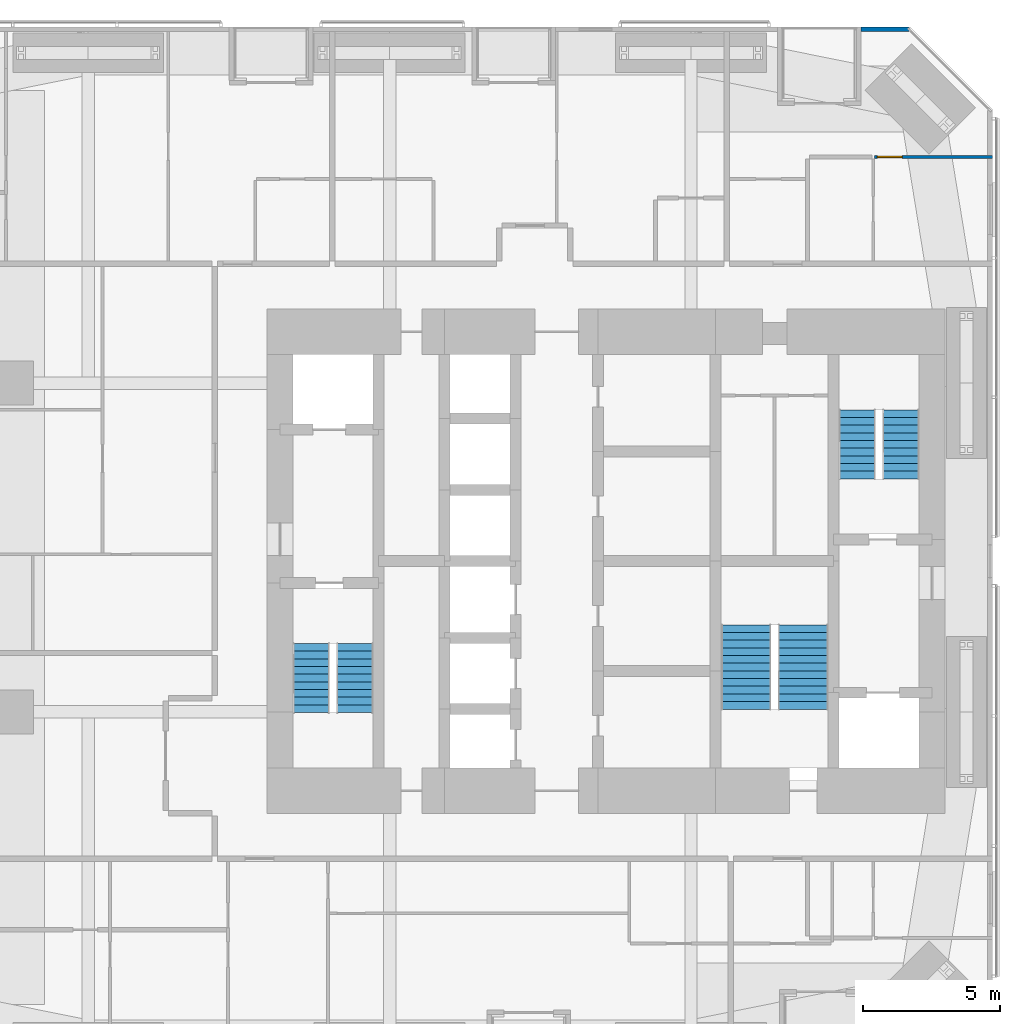
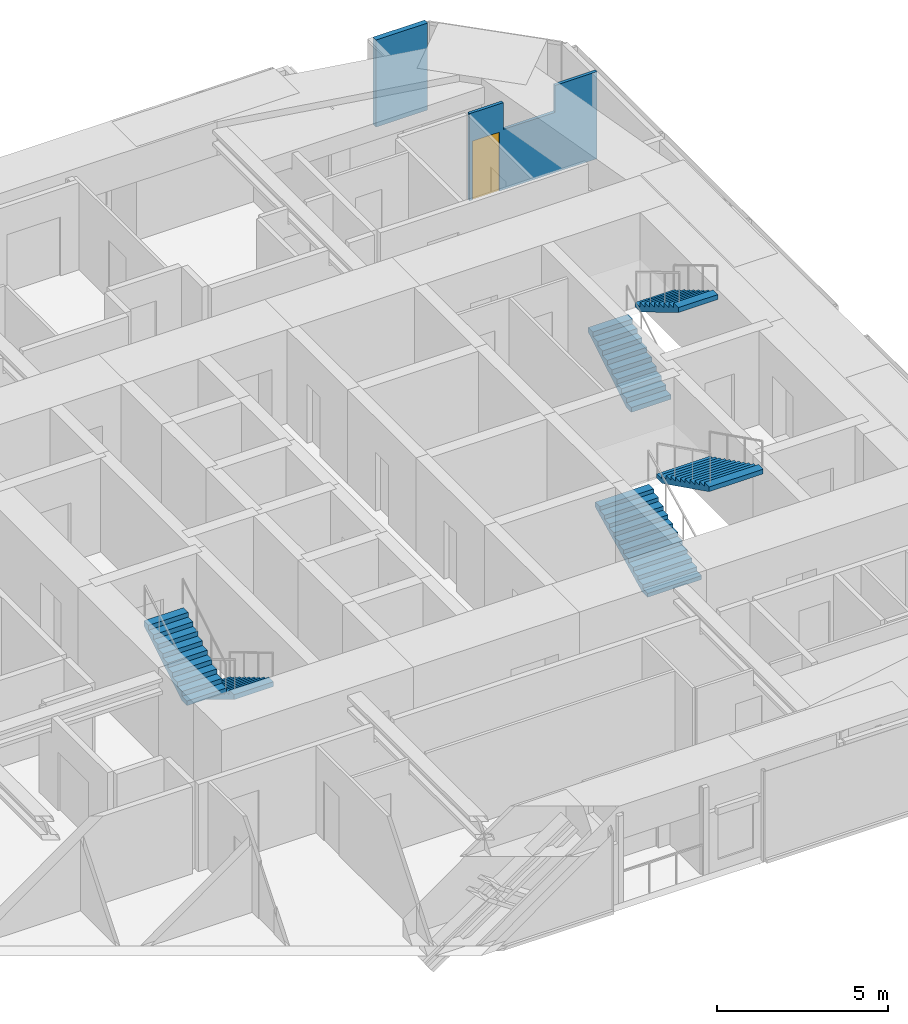
# One storey, part 23 of 24: 6 stair flights, 2 walls, 1 door, 1 opening, 3 elements without a shape of their own.
"""IFC4 building model written with IfcOpenShell, lengths in metres."""

from ifc_helpers import new_model, si_unit, direction, frame, frame_2d, origin, place, context, subcontext, project, spatial, polyline, rectangle, outline, extrude, material, constituent, constituent_set, type_object, element, fill, aggregate, save


model = new_model("IFC4")

# Units and contexts
model_context = context("Model", 3, precision=1e-05, world=origin(), true_north=direction((0.0, 1.0)))
body_context = subcontext(model_context, "Body", "Model", "MODEL_VIEW")
ifc_project = project(units=[si_unit("LENGTHUNIT", "METRE"), si_unit("AREAUNIT", "SQUARE_METRE"), si_unit("VOLUMEUNIT", "CUBIC_METRE"), si_unit("PLANEANGLEUNIT", "RADIAN"), si_unit("MASSUNIT", "GRAM", prefix="KILO")], contexts=[model_context])

# Site, building, storey
site_placement = place(None, origin())
site = spatial("IfcSite", under=ifc_project, at=site_placement, CompositionType="ELEMENT")
building_placement = place(site_placement, origin())
building = spatial("IfcBuilding", under=site, at=building_placement, Name="Jalousie Tower", CompositionType="ELEMENT")
storey_placement = place(building_placement, frame((0.0, 0.0, 51.14990234375)))
storey = spatial("IfcBuildingStorey", under=building, at=storey_placement, Name="L13", CompositionType="ELEMENT", Elevation=51.14990234375)

# Wall
ifc_material_1 = material(Name="Concrete f'c 40 MPa", Category="concrete")
ifc_constituent_1 = constituent(ifc_material_1, Name="Body")
ifc_material_2 = material(Name="Render, pastel coral")
ifc_constituent_2 = constituent(ifc_material_2, Name="Finish")
ifc_constituent_set_1 = constituent_set(constituents=[ifc_constituent_1, ifc_constituent_2])
wall_type_1 = type_object("IfcWallType", Name="EXTERNAL WALL 175 CORAL RENDER", PredefinedType="SOLIDWALL", material=ifc_constituent_set_1)
wall_1_placement = place(storey_placement, frame((42.94873046875, 37.91259765625, 0.0), z_axis=(0.0, 0.0, 1.0), x_axis=(-1.0, 0.0, 0.0)))
element("IfcWall", 1, at=wall_1_placement, inside=storey, type_object=wall_type_1, Name="External Wall 175 Coral Render L13", PredefinedType="SOLIDWALL", context=body_context, shape_type="SweptSolid", body=[
    extrude(rectangle(XDim=1.75, YDim=0.175048828125, at=frame_2d((0.875, 0.0))), origin(), (0.0, 0.0, 1.0), 3.110107421875),
])

# Wall, opening, door
ifc_material_3 = material(Name="Gypsum board", Category="gypsum")
ifc_constituent_3 = constituent(ifc_material_3, Name="Body")
ifc_material_4 = material(Name="Light-gauge steel studs ASTM A653 SS Grade 33", Category="steel")
ifc_constituent_4 = constituent(ifc_material_4, Name="Framing")
ifc_constituent_set_2 = constituent_set(constituents=[ifc_constituent_3, ifc_constituent_4])
wall_type_2 = type_object("IfcWallType", Name="PARTITION 100", PredefinedType="PARTITIONING", material=ifc_constituent_set_2)
wall_2_placement = place(storey_placement, frame((41.699951171875, 33.25341796875, 0.0), z_axis=(0.0, 0.0, 1.0), x_axis=(1.0, 0.0, 0.0)))
wall_2 = element("IfcWall", 2, at=wall_2_placement, inside=storey, type_object=wall_type_2, Name="Partition 100 L13", PredefinedType="PARTITIONING", context=body_context, shape_type="SweptSolid", body=[
    extrude(outline(polyline([(0.0, 0.0), (4.300048828125, 0.0), (4.300048828125, 3.110107421875), (2.8828125, 3.110107421875), (2.8828125, 2.150146484375), (1.140380859375, 2.150146484375), (1.140380859375, 3.110107421875), (0.0, 3.110107421875), (0.0, 0.0)])), frame((0.0, 0.050048828125, 0.0), z_axis=(0.0, -1.0, 0.0), x_axis=(1.0, 0.0, 0.0)), (0.0, 0.0, 1.0), 0.10009765625),
])
opening_placement = place(wall_2_placement, frame((0.10009765625, 0.0, 0.0)))
opening = element("IfcOpeningElement", 3, at=opening_placement, cuts=wall_2, Name="Opening D2", PredefinedType="OPENING", context=body_context, shape_type="SweptSolid", body=[
    extrude(rectangle(XDim=0.89990234375, YDim=2.10009765625, at=frame_2d((0.449951171875, 1.050048828125))), frame((0.0, 0.06005859375, 0.0), z_axis=(0.0, -1.0, 0.0), x_axis=(1.0, 0.0, 0.0)), (0.0, 0.0, 1.0), 0.1201171875),
])
ifc_material_5 = material(Name="Timber door", Category="wood")
door_type = type_object("IfcDoorType", Name="BEDROOM DOOR 900", OperationType="SINGLE_SWING_LEFT", PredefinedType="DOOR", material=ifc_material_5)
door_placement = place(opening_placement, frame((0.89990234375, 0.0, 0.0), z_axis=(0.0, 0.0, 1.0), x_axis=(-1.0, 0.0, 0.0)))
door = element("IfcDoor", 4, at=door_placement, inside=storey, type_object=door_type, Name="Apartment 1305 bedroom 1 door", OperationType="SINGLE_SWING_RIGHT", OverallHeight=2.10009765625, OverallWidth=0.89990234375, PredefinedType="DOOR", context=body_context, shape_type="SweptSolid", body=[
    extrude(rectangle(XDim=0.89990234375, YDim=2.10009765625, at=frame_2d((0.449951171875, 1.050048828125))), frame((0.0, 0.02490234375, 0.0), z_axis=(0.0, -1.0, 0.0), x_axis=(1.0, 0.0, 0.0)), (0.0, 0.0, 1.0), 0.050048828125),
])
fill(opening, door)

# Stair, stair flights
ifc_material_6 = material(Name="Concrete f'c 40 MPa", Category="concrete")
stair_type = type_object("IfcStairType", Name="EXIT STAIR", PredefinedType="HALF_TURN_STAIR", material=ifc_material_6)
stair_1_placement = place(storey_placement, origin())
stair_1 = element("IfcStair", 5, at=stair_1_placement, inside=storey, type_object=stair_type, Name="Exit stair A L13", PredefinedType="HALF_TURN_STAIR")
ifc_material_7 = material(Name="Concrete f'c 40 MPa", Category="concrete")
stair_flight_type = type_object("IfcStairFlightType", Name="STAIR FLIGHT", PredefinedType="STRAIGHT", material=ifc_material_7)
stair_flight_1_placement = place(storey_placement, frame((22.731201171875, 15.49755859375, 0.0), z_axis=(0.0, 0.0, 1.0), x_axis=(0.0, -1.0, 0.0)))
stair_flight_1 = element("IfcStairFlight", 6, at=stair_flight_1_placement, type_object=stair_flight_type, Name="ST-A flight 1", NumberOfRisers=10, NumberOfTreads=9, PredefinedType="STRAIGHT", RiserHeight=0.1675, TreadLength=0.28, context=body_context, shape_type="SweptSolid", body=[
    extrude(outline(polyline([(0.0, 0.0), (0.0, 0.16748046875), (0.280029296875, 0.16748046875), (0.280029296875, 0.3349609375), (0.56005859375, 0.3349609375), (0.56005859375, 0.50244140625), (0.840087890625, 0.50244140625), (0.840087890625, 0.669921875), (1.1201171875, 0.669921875), (1.1201171875, 0.83740234375), (1.39990234375, 0.83740234375), (1.39990234375, 1.0048828125), (1.679931640625, 1.0048828125), (1.679931640625, 1.172607421875), (1.9599609375, 1.172607421875), (1.9599609375, 1.340087890625), (2.239990234375, 1.340087890625), (2.239990234375, 1.507568359375), (2.52001953125, 1.507568359375), (2.52001953125, 1.675048828125), (2.52001953125, 1.332763671875), (0.2919921875, 0.0), (0.0, 0.0)])), frame((0.0, 0.668701171875, 0.0), z_axis=(0.0, -1.0, 0.0), x_axis=(1.0, 0.0, 0.0)), (0.0, 0.0, 1.0), 1.33740234375),
])
stair_flight_2_placement = place(storey_placement, frame((21.143798828125, 12.9775390625, 1.675048828125), z_axis=(0.0, 0.0, 1.0), x_axis=(0.0, 1.0, 0.0)))
stair_flight_2 = element("IfcStairFlight", 7, at=stair_flight_2_placement, type_object=stair_flight_type, Name="ST-A flight 2", NumberOfRisers=10, NumberOfTreads=9, PredefinedType="STRAIGHT", RiserHeight=0.1675, TreadLength=0.28, context=body_context, shape_type="SweptSolid", body=[
    extrude(outline(polyline([(0.0, 0.0), (0.0, 0.16748046875), (0.280029296875, 0.16748046875), (0.280029296875, 0.3349609375), (0.56005859375, 0.3349609375), (0.56005859375, 0.50244140625), (0.840087890625, 0.50244140625), (0.840087890625, 0.669921875), (1.1201171875, 0.669921875), (1.1201171875, 0.83740234375), (1.39990234375, 0.83740234375), (1.39990234375, 1.0048828125), (1.679931640625, 1.0048828125), (1.679931640625, 1.172607421875), (1.9599609375, 1.172607421875), (1.9599609375, 1.340087890625), (2.239990234375, 1.340087890625), (2.239990234375, 1.507568359375), (2.52001953125, 1.507568359375), (2.52001953125, 1.675048828125), (2.52001953125, 1.332763671875), (0.2919921875, 0.0), (0.0, 0.0)])), frame((0.0, 0.668701171875, 0.0), z_axis=(0.0, -1.0, 0.0), x_axis=(1.0, 0.0, 0.0)), (0.0, 0.0, 1.0), 1.33740234375),
])
aggregate(stair_1, [stair_flight_1, stair_flight_2])

stair_2_placement = place(storey_placement, origin())
stair_2 = element("IfcStair", 8, at=stair_2_placement, inside=storey, type_object=stair_type, Name="Exit stair B L13", PredefinedType="HALF_TURN_STAIR")
stair_flight_3_placement = place(storey_placement, frame((41.06884765625, 21.50244140625, 0.0), z_axis=(0.0, 0.0, 1.0), x_axis=(0.0, 1.0, 0.0)))
stair_flight_3 = element("IfcStairFlight", 9, at=stair_flight_3_placement, type_object=stair_flight_type, Name="ST-B flight 1", NumberOfRisers=10, NumberOfTreads=9, PredefinedType="STRAIGHT", RiserHeight=0.1675, TreadLength=0.28, context=body_context, shape_type="SweptSolid", body=[
    extrude(outline(polyline([(0.0, 0.0), (0.0, 0.16748046875), (0.280029296875, 0.16748046875), (0.280029296875, 0.3349609375), (0.56005859375, 0.3349609375), (0.56005859375, 0.50244140625), (0.840087890625, 0.50244140625), (0.840087890625, 0.669921875), (1.1201171875, 0.669921875), (1.1201171875, 0.83740234375), (1.39990234375, 0.83740234375), (1.39990234375, 1.0048828125), (1.679931640625, 1.0048828125), (1.679931640625, 1.172607421875), (1.9599609375, 1.172607421875), (1.9599609375, 1.340087890625), (2.239990234375, 1.340087890625), (2.239990234375, 1.507568359375), (2.52001953125, 1.507568359375), (2.52001953125, 1.675048828125), (2.52001953125, 1.332763671875), (0.2919921875, 0.0), (0.0, 0.0)])), frame((0.0, 0.668701171875, 0.0), z_axis=(0.0, -1.0, 0.0), x_axis=(1.0, 0.0, 0.0)), (0.0, 0.0, 1.0), 1.33740234375),
])
stair_flight_4_placement = place(storey_placement, frame((42.65625, 24.0224609375, 1.675048828125), z_axis=(0.0, 0.0, 1.0), x_axis=(0.0, -1.0, 0.0)))
stair_flight_4 = element("IfcStairFlight", 10, at=stair_flight_4_placement, type_object=stair_flight_type, Name="ST-B flight 2", NumberOfRisers=10, NumberOfTreads=9, PredefinedType="STRAIGHT", RiserHeight=0.1675, TreadLength=0.28, context=body_context, shape_type="SweptSolid", body=[
    extrude(outline(polyline([(0.0, 0.0), (0.0, 0.16748046875), (0.280029296875, 0.16748046875), (0.280029296875, 0.3349609375), (0.56005859375, 0.3349609375), (0.56005859375, 0.50244140625), (0.840087890625, 0.50244140625), (0.840087890625, 0.669921875), (1.1201171875, 0.669921875), (1.1201171875, 0.83740234375), (1.39990234375, 0.83740234375), (1.39990234375, 1.0048828125), (1.679931640625, 1.0048828125), (1.679931640625, 1.172607421875), (1.9599609375, 1.172607421875), (1.9599609375, 1.340087890625), (2.239990234375, 1.340087890625), (2.239990234375, 1.507568359375), (2.52001953125, 1.507568359375), (2.52001953125, 1.675048828125), (2.52001953125, 1.332763671875), (0.2919921875, 0.0), (0.0, 0.0)])), frame((0.0, 0.668701171875, 0.0), z_axis=(0.0, -1.0, 0.0), x_axis=(1.0, 0.0, 0.0)), (0.0, 0.0, 1.0), 1.33740234375),
])
aggregate(stair_2, [stair_flight_3, stair_flight_4])

stair_3_placement = place(storey_placement, origin())
stair_3 = element("IfcStair", 11, at=stair_3_placement, inside=storey, type_object=stair_type, Name="Exit stair C L13", PredefinedType="HALF_TURN_STAIR")
stair_flight_5_placement = place(storey_placement, frame((37.012451171875, 13.097412109375, 0.0), z_axis=(0.0, 0.0, 1.0), x_axis=(0.0, 1.0, 0.0)))
stair_flight_5 = element("IfcStairFlight", 12, at=stair_flight_5_placement, type_object=stair_flight_type, Name="ST-C flight 1", NumberOfRisers=12, NumberOfTreads=11, PredefinedType="STRAIGHT", RiserHeight=0.139583333, TreadLength=0.28, context=body_context, shape_type="SweptSolid", body=[
    extrude(outline(polyline([(0.0, 0.0), (0.0, 0.1396484375), (0.280029296875, 0.1396484375), (0.280029296875, 0.279052734375), (0.56005859375, 0.279052734375), (0.56005859375, 0.418701171875), (0.840087890625, 0.418701171875), (0.840087890625, 0.558349609375), (1.1201171875, 0.558349609375), (1.1201171875, 0.697998046875), (1.39990234375, 0.697998046875), (1.39990234375, 0.83740234375), (1.679931640625, 0.83740234375), (1.679931640625, 0.97705078125), (1.9599609375, 0.97705078125), (1.9599609375, 1.11669921875), (2.239990234375, 1.11669921875), (2.239990234375, 1.25634765625), (2.52001953125, 1.25634765625), (2.52001953125, 1.395751953125), (2.800048828125, 1.395751953125), (2.800048828125, 1.535400390625), (3.080078125, 1.535400390625), (3.080078125, 1.675048828125), (3.080078125, 1.367919921875), (0.3359375, 0.0), (0.0, 0.0)])), frame((0.0, 0.91259765625, 0.0), z_axis=(0.0, -1.0, 0.0), x_axis=(1.0, 0.0, 0.0)), (0.0, 0.0, 1.0), 1.824951171875),
])
stair_flight_6_placement = place(storey_placement, frame((39.08740234375, 16.177490234375, 1.675048828125), z_axis=(0.0, 0.0, 1.0), x_axis=(0.0, -1.0, 0.0)))
stair_flight_6 = element("IfcStairFlight", 13, at=stair_flight_6_placement, type_object=stair_flight_type, Name="ST-C flight 2", NumberOfRisers=12, NumberOfTreads=11, PredefinedType="STRAIGHT", RiserHeight=0.139583333, TreadLength=0.28, context=body_context, shape_type="SweptSolid", body=[
    extrude(outline(polyline([(0.0, 0.0), (0.0, 0.1396484375), (0.280029296875, 0.1396484375), (0.280029296875, 0.279052734375), (0.56005859375, 0.279052734375), (0.56005859375, 0.418701171875), (0.840087890625, 0.418701171875), (0.840087890625, 0.558349609375), (1.1201171875, 0.558349609375), (1.1201171875, 0.697998046875), (1.39990234375, 0.697998046875), (1.39990234375, 0.83740234375), (1.679931640625, 0.83740234375), (1.679931640625, 0.97705078125), (1.9599609375, 0.97705078125), (1.9599609375, 1.11669921875), (2.239990234375, 1.11669921875), (2.239990234375, 1.25634765625), (2.52001953125, 1.25634765625), (2.52001953125, 1.395751953125), (2.800048828125, 1.395751953125), (2.800048828125, 1.535400390625), (3.080078125, 1.535400390625), (3.080078125, 1.675048828125), (3.080078125, 1.367919921875), (0.3359375, 0.0), (0.0, 0.0)])), frame((0.0, 0.91259765625, 0.0), z_axis=(0.0, -1.0, 0.0), x_axis=(1.0, 0.0, 0.0)), (0.0, 0.0, 1.0), 1.824951171875),
])
aggregate(stair_3, [stair_flight_5, stair_flight_6])

save(model, "model.ifc")
